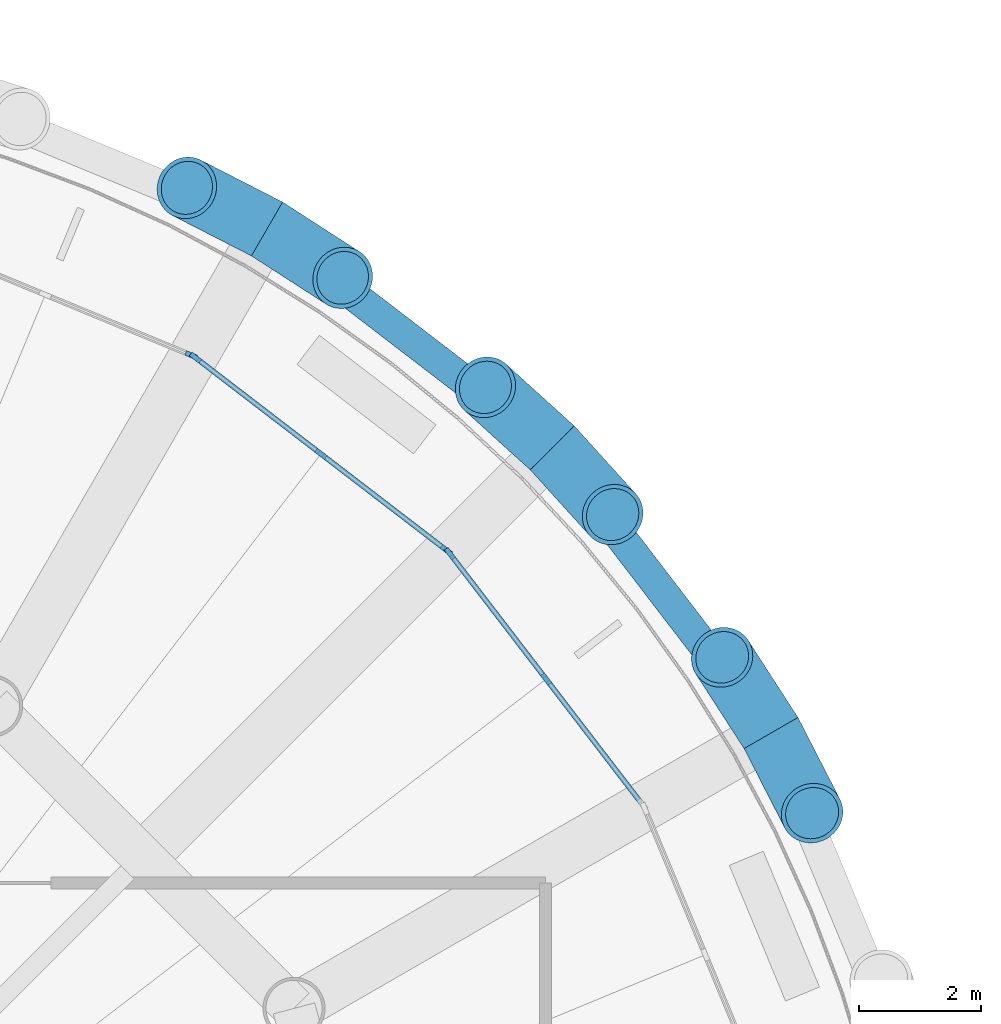
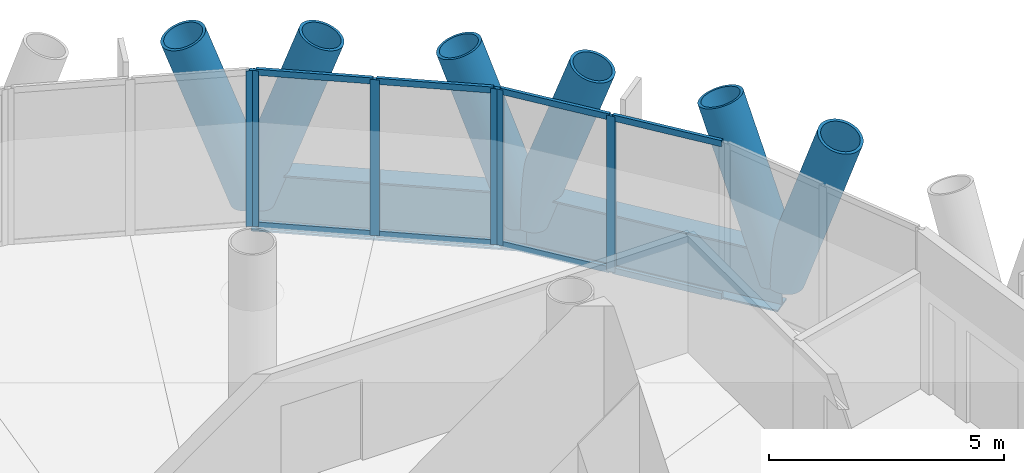
# One storey, part 6 of 14: 20 members, 2 beams, 3 elements without a shape of their own.
"""IFC4 building model written with IfcOpenShell, lengths in metres."""

from ifc_helpers import new_model, si_unit, direction, frame, origin, origin_2d, place, context, subcontext, project, spatial, rectangle, hollow_circle, i_section, extrude, material, material_profile, profile_set, type_object, element, aggregate, save


model = new_model("IFC4")

# Units and contexts
model_context = context("Model", 3, precision=1e-05, world=origin(), true_north=direction((0.0, 1.0)))
body_context = subcontext(model_context, "Body", "Model", "MODEL_VIEW")
ifc_project = project(units=[si_unit("LENGTHUNIT", "METRE"), si_unit("AREAUNIT", "SQUARE_METRE"), si_unit("VOLUMEUNIT", "CUBIC_METRE"), si_unit("PLANEANGLEUNIT", "RADIAN"), si_unit("MASSUNIT", "GRAM", prefix="KILO")], contexts=[model_context])

# Site, building, storey
site_placement = place(None, origin())
site = spatial("IfcSite", under=ifc_project, at=site_placement, CompositionType="ELEMENT")
building_placement = place(site_placement, origin())
building = spatial("IfcBuilding", under=site, at=building_placement, Name="Qaws Media Tower", CompositionType="ELEMENT")
storey_placement = place(building_placement, frame((0.0, 0.0, 227.60009765625)))
storey = spatial("IfcBuildingStorey", under=building, at=storey_placement, Name="L52", CompositionType="ELEMENT", Elevation=227.60009765625)

# Curtain wall, members
ifc_material_1 = material(Name="Aluminium and clear glass", Category="aluminium")
curtain_wall_type = type_object("IfcCurtainWallType", Name="Unitised curtain wall CW-C", PredefinedType="NOTDEFINED", material=ifc_material_1)
curtain_wall_1_placement = place(storey_placement, origin())
curtain_wall_1 = element("IfcCurtainWall", 1, at=curtain_wall_1_placement, inside=storey, type_object=curtain_wall_type, Name="CWC curtain wall L52-03", PredefinedType="NOTDEFINED")
ifc_material_2 = material(Name="Aluminium mullion", Category="aluminium")
ifc_material_profile_1 = material_profile(ifc_material_2, rectangle(XDim=0.080078125, YDim=0.199951171875, at=origin_2d()), Name="80x200")
ifc_profile_set_1 = profile_set([ifc_material_profile_1], Name="Aluminium mullion")
member_type_1 = type_object("IfcMemberType", Name="Curtain wall mullion 80x200", PredefinedType="MULLION", material=ifc_profile_set_1)
member_1_placement = place(storey_placement, frame((75.81005859375, 62.13134765625, 0.0), z_axis=(0.0, 0.0, 1.0), x_axis=(-0.793353255855, -0.608761539048, 0.0)))
member_1 = element("IfcMember", 2, at=member_1_placement, type_object=member_type_1, Name="CWC mullion 2", PredefinedType="MULLION", context=body_context, shape_type="SweptSolid", body=[
    extrude(rectangle(XDim=0.080078125, YDim=0.199951171875, at=origin_2d()), origin(), (0.0, 0.0, 1.0), 4.039794921875),
])
member_2_placement = place(storey_placement, frame((74.2373046875, 64.18115234375, 0.0), z_axis=(0.0, 0.0, 1.0), x_axis=(-0.793353255855, -0.608761539048, 0.0)))
member_2 = element("IfcMember", 3, at=member_2_placement, type_object=member_type_1, Name="CWC mullion 3", PredefinedType="MULLION", context=body_context, shape_type="SweptSolid", body=[
    extrude(rectangle(XDim=0.080078125, YDim=0.199951171875, at=origin_2d()), origin(), (0.0, 0.0, 1.0), 4.039794921875),
])

curtain_wall_2_placement = place(storey_placement, origin())
curtain_wall_2 = element("IfcCurtainWall", 4, at=curtain_wall_2_placement, inside=storey, type_object=curtain_wall_type, Name="CWC curtain wall L52-04", PredefinedType="NOTDEFINED")
member_3_placement = place(storey_placement, frame((74.18115234375, 64.2373046875, 0.0), z_axis=(0.0, 0.0, 1.0), x_axis=(-0.608761539048, -0.793353255855, 0.0)))
member_3 = element("IfcMember", 5, at=member_3_placement, type_object=member_type_1, Name="CWC mullion 1", PredefinedType="MULLION", context=body_context, shape_type="SweptSolid", body=[
    extrude(rectangle(XDim=0.080078125, YDim=0.199951171875, at=origin_2d()), origin(), (0.0, 0.0, 1.0), 4.039794921875),
])
member_4_placement = place(storey_placement, frame((72.13134765625, 65.81005859375, 0.0), z_axis=(0.0, 0.0, 1.0), x_axis=(-0.608761539048, -0.793353255855, 0.0)))
member_4 = element("IfcMember", 6, at=member_4_placement, type_object=member_type_1, Name="CWC mullion 2", PredefinedType="MULLION", context=body_context, shape_type="SweptSolid", body=[
    extrude(rectangle(XDim=0.080078125, YDim=0.199951171875, at=origin_2d()), origin(), (0.0, 0.0, 1.0), 4.039794921875),
])
member_5_placement = place(storey_placement, frame((70.081787109375, 67.3828125, 0.0), z_axis=(0.0, 0.0, 1.0), x_axis=(-0.608761539048, -0.793353255855, 0.0)))
member_5 = element("IfcMember", 7, at=member_5_placement, type_object=member_type_1, Name="CWC mullion 3", PredefinedType="MULLION", context=body_context, shape_type="SweptSolid", body=[
    extrude(rectangle(XDim=0.080078125, YDim=0.199951171875, at=origin_2d()), origin(), (0.0, 0.0, 1.0), 4.039794921875),
])

# Curtain wall, member
curtain_wall_3_placement = place(storey_placement, origin())
curtain_wall_3 = element("IfcCurtainWall", 8, at=curtain_wall_3_placement, inside=storey, type_object=curtain_wall_type, Name="CWC curtain wall L52-05", PredefinedType="NOTDEFINED")
member_6_placement = place(storey_placement, frame((70.012939453125, 67.42236328125, 0.0), z_axis=(0.0, 0.0, 1.0), x_axis=(-0.382683365302, -0.92387956029, 0.0)))
member_6 = element("IfcMember", 9, at=member_6_placement, type_object=member_type_1, Name="CWC mullion 1", PredefinedType="MULLION", context=body_context, shape_type="SweptSolid", body=[
    extrude(rectangle(XDim=0.080078125, YDim=0.199951171875, at=origin_2d()), origin(), (0.0, 0.0, 1.0), 4.039794921875),
])
aggregate(curtain_wall_3, [member_6])

# Member
ifc_material_3 = material(Name="Aluminium transom", Category="aluminium")
ifc_material_profile_2 = material_profile(ifc_material_3, rectangle(XDim=0.080078125, YDim=0.159912109375, at=origin_2d()), Name="80x160")
ifc_profile_set_2 = profile_set([ifc_material_profile_2], Name="Aluminium transom")
member_type_2 = type_object("IfcMemberType", Name="Curtain wall transom 80x160", PredefinedType="USERDEFINED", material=ifc_profile_set_2)
member_7_placement = place(storey_placement, frame((77.3583984375, 60.113525390625, 0.039794921875), z_axis=(-0.608810221501, 0.793315898111, 0.0), x_axis=(-0.793315898111, -0.608810221501, 0.0)))
member_7 = element("IfcMember", 10, at=member_7_placement, type_object=member_type_2, Name="CWC transom 1.1", ObjectType="TRANSOM", PredefinedType="USERDEFINED", context=body_context, shape_type="SweptSolid", body=[
    extrude(rectangle(XDim=0.080078125, YDim=0.159912109375, at=origin_2d()), origin(), (0.0, 0.0, 1.0), 2.50341796875),
])

member_8_placement = place(storey_placement, frame((77.3583984375, 60.113525390625, 4.0), z_axis=(-0.608810221501, 0.793315898111, 0.0), x_axis=(-0.793315898111, -0.608810221501, 0.0)))
member_8 = element("IfcMember", 11, at=member_8_placement, type_object=member_type_2, Name="CWC transom 1.2", ObjectType="TRANSOM", PredefinedType="USERDEFINED", context=body_context, shape_type="SweptSolid", body=[
    extrude(rectangle(XDim=0.080078125, YDim=0.159912109375, at=origin_2d()), origin(), (0.0, 0.0, 1.0), 2.50341796875),
])

member_9_placement = place(storey_placement, frame((75.78564453125, 62.1630859375, 0.039794921875), z_axis=(-0.608763124529, 0.79335203927, 0.0), x_axis=(-0.79335203927, -0.608763124529, 0.0)))
member_9 = element("IfcMember", 12, at=member_9_placement, type_object=member_type_2, Name="CWC transom 2.1", ObjectType="TRANSOM", PredefinedType="USERDEFINED", context=body_context, shape_type="SweptSolid", body=[
    extrude(rectangle(XDim=0.080078125, YDim=0.159912109375, at=origin_2d()), origin(), (0.0, 0.0, 1.0), 2.503662109375),
])

member_10_placement = place(storey_placement, frame((75.78564453125, 62.1630859375, 4.0), z_axis=(-0.608763124529, 0.79335203927, 0.0), x_axis=(-0.79335203927, -0.608763124529, 0.0)))
member_10 = element("IfcMember", 13, at=member_10_placement, type_object=member_type_2, Name="CWC transom 2.2", ObjectType="TRANSOM", PredefinedType="USERDEFINED", context=body_context, shape_type="SweptSolid", body=[
    extrude(rectangle(XDim=0.080078125, YDim=0.159912109375, at=origin_2d()), origin(), (0.0, 0.0, 1.0), 2.503662109375),
])

aggregate(curtain_wall_1, [member_1, member_2, member_7, member_8, member_9, member_10])

member_11_placement = place(storey_placement, frame((74.1494140625, 64.261474609375, 0.039794921875), z_axis=(-0.79335203927, 0.608763124529, 0.0), x_axis=(-0.608763124529, -0.79335203927, 0.0)))
member_11 = element("IfcMember", 14, at=member_11_placement, type_object=member_type_2, Name="CWC transom 1.1", ObjectType="TRANSOM", PredefinedType="USERDEFINED", context=body_context, shape_type="SweptSolid", body=[
    extrude(rectangle(XDim=0.080078125, YDim=0.159912109375, at=origin_2d()), origin(), (0.0, 0.0, 1.0), 2.503662109375),
])

member_12_placement = place(storey_placement, frame((74.1494140625, 64.261474609375, 4.0), z_axis=(-0.79335203927, 0.608763124529, 0.0), x_axis=(-0.608763124529, -0.79335203927, 0.0)))
member_12 = element("IfcMember", 15, at=member_12_placement, type_object=member_type_2, Name="CWC transom 1.2", ObjectType="TRANSOM", PredefinedType="USERDEFINED", context=body_context, shape_type="SweptSolid", body=[
    extrude(rectangle(XDim=0.080078125, YDim=0.159912109375, at=origin_2d()), origin(), (0.0, 0.0, 1.0), 2.503662109375),
])

member_13_placement = place(storey_placement, frame((72.099609375, 65.834228515625, 0.039794921875), z_axis=(-0.793315898111, 0.608810221501, 0.0), x_axis=(-0.608810221501, -0.793315898111, 0.0)))
member_13 = element("IfcMember", 16, at=member_13_placement, type_object=member_type_2, Name="CWC transom 2.1", ObjectType="TRANSOM", PredefinedType="USERDEFINED", context=body_context, shape_type="SweptSolid", body=[
    extrude(rectangle(XDim=0.080078125, YDim=0.159912109375, at=origin_2d()), origin(), (0.0, 0.0, 1.0), 2.50341796875),
])

member_14_placement = place(storey_placement, frame((72.099609375, 65.834228515625, 4.0), z_axis=(-0.793315898111, 0.608810221501, 0.0), x_axis=(-0.608810221501, -0.793315898111, 0.0)))
member_14 = element("IfcMember", 17, at=member_14_placement, type_object=member_type_2, Name="CWC transom 2.2", ObjectType="TRANSOM", PredefinedType="USERDEFINED", context=body_context, shape_type="SweptSolid", body=[
    extrude(rectangle(XDim=0.080078125, YDim=0.159912109375, at=origin_2d()), origin(), (0.0, 0.0, 1.0), 2.50341796875),
])

aggregate(curtain_wall_2, [member_3, member_4, member_5, member_11, member_12, member_13, member_14])

# Members
ifc_material_4 = material(Name="Steel S460", Category="steel")
ifc_material_profile_3 = material_profile(ifc_material_4, hollow_circle(Radius=0.508056640625, WallThickness=0.070068359375, at=origin_2d()), Name="CHS 1016x70")
ifc_profile_set_3 = profile_set([ifc_material_profile_3], Name="Steel S460")
member_type_3 = type_object("IfcMemberType", Name="Diagrid member CHS 1016x70", PredefinedType="USERDEFINED", material=ifc_profile_set_3)
for number, where, z_axis, x_axis, name in (
    (18, (79.485595703125, 61.25, -0.91015625), (-0.179388879752, 0.277805898185, 0.943739112655), (-0.84007717777, -0.542466897967, 0.0), "DG3 diagrid L52 A03"),
    (19, (79.485595703125, 61.25, -0.91015625), (0.150916271681, -0.294262043365, 0.94373414094), (0.889801918765, 0.456346957219, 0.0), "DG3 diagrid L52 B03"),
    (20, (75.909912109375, 65.909912109375, -0.91015625), (-0.245162927904, 0.221957754822, 0.943731897233), (-0.671152181779, -0.741319599696, 0.0), "DG3 diagrid L52 A04"),
    (21, (75.909912109375, 65.909912109375, -0.91015625), (0.221957754822, -0.245162927904, 0.943731897233), (0.741319599696, 0.671152181779, 0.0), "DG3 diagrid L52 B04"),
    (22, (71.25, 69.485595703125, -0.91015625), (-0.294262043365, 0.150916271681, 0.94373414094), (-0.456346957219, -0.889801918765, 0.0), "DG3 diagrid L52 A05"),
    (23, (71.25, 69.485595703125, -0.91015625), (0.277805898185, -0.179388879752, 0.943739112655), (0.542466897967, 0.84007717777, 0.0), "DG3 diagrid L52 B05"),
):
    element("IfcMember", number, at=place(storey_placement, frame(where, z_axis=z_axis, x_axis=x_axis)), inside=storey, type_object=member_type_3, Name=name, ObjectType="DIAGRID", PredefinedType="USERDEFINED", context=body_context, shape_type="SweptSolid", body=[
        extrude(hollow_circle(Radius=0.508056640625, WallThickness=0.070068359375, at=origin_2d()), origin(), (0.0, 0.0, 1.0), 4.450439453125),
    ])

# Beams
ifc_material_5 = material(Name="Steel S460", Category="steel")
ifc_material_profile_4 = material_profile(ifc_material_5, i_section(OverallWidth=0.5, OverallDepth=1.5, WebThickness=0.02001953125, FlangeThickness=0.0400390625, at=origin_2d()), Name="PG 1500x500")
ifc_profile_set_4 = profile_set([ifc_material_profile_4], Name="Steel S460")
beam_type = type_object("IfcBeamType", Name="Edge ring beam PG 1500x500", PredefinedType="BEAM", material=ifc_profile_set_4)
for number, where, z_axis, x_axis, name in (
    (24, (79.485595703125, 61.25, -0.91015625), (-0.608762208108, 0.793352742466, 0.0), (-0.793352742466, -0.608762208108, 0.0), "RB4 edge ring beam L52-03"),
    (25, (75.909912109375, 65.909912109375, -0.91015625), (-0.793352742466, 0.608762208108, 0.0), (-0.608762208108, -0.793352742466, 0.0), "RB4 edge ring beam L52-04"),
):
    element("IfcBeam", number, at=place(storey_placement, frame(where, z_axis=z_axis, x_axis=x_axis)), inside=storey, type_object=beam_type, Name=name, PredefinedType="BEAM", context=body_context, shape_type="SweptSolid", body=[
        extrude(i_section(OverallWidth=0.5, OverallDepth=1.5, WebThickness=0.02001953125, FlangeThickness=0.0400390625, at=origin_2d()), origin(), (0.0, 0.0, 1.0), 5.873779296875),
    ])

save(model, "model.ifc")
